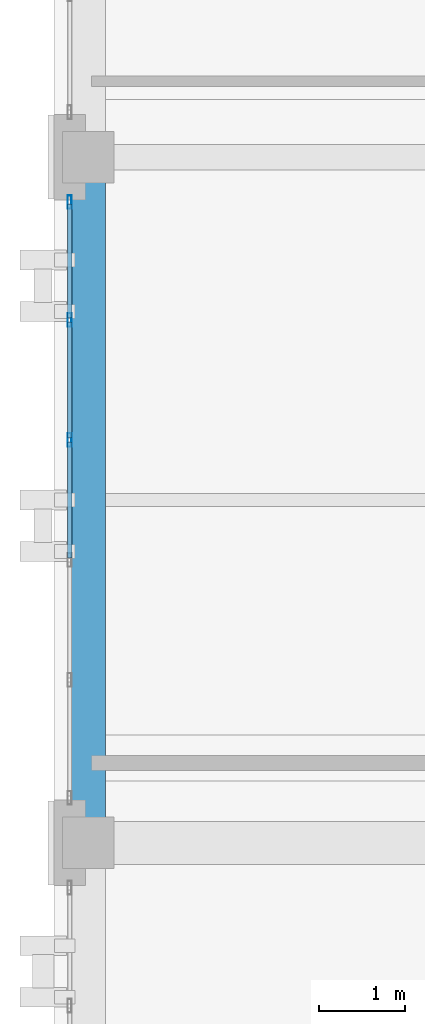
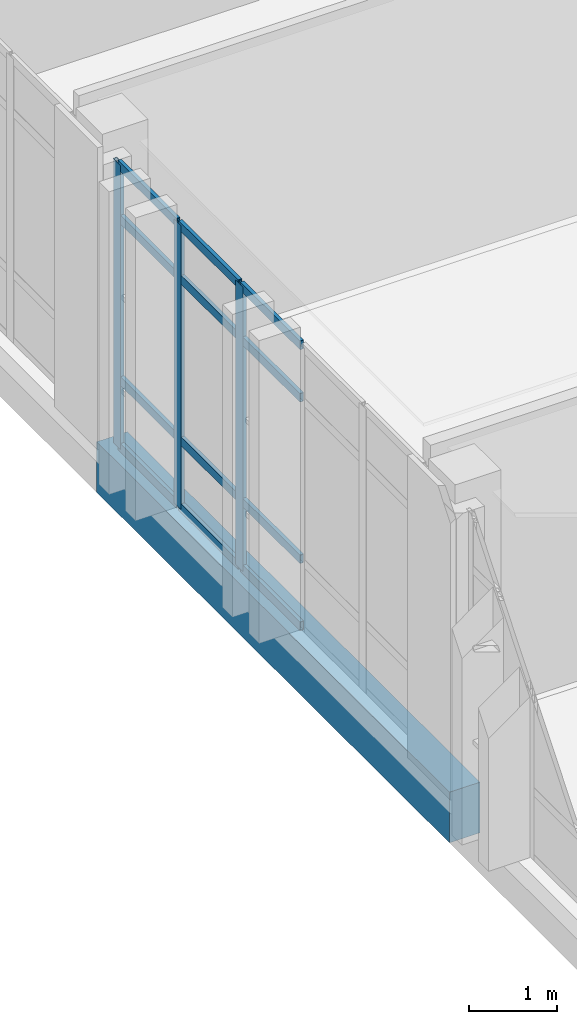
# One storey, part 10 of 77: 15 members, 1 beam, 1 element without a shape of its own.
"""IFC4 building model written with IfcOpenShell, lengths in metres."""

from ifc_helpers import new_model, si_unit, direction, frame, origin, origin_2d, place, context, subcontext, project, spatial, rectangle, hollow_rectangle, extrude, material, layer, layer_set, material_profile, profile_set, type_object, element, aggregate, save


model = new_model("IFC4")

# Units and contexts
model_context = context("Model", 3, precision=1e-05, world=origin(), true_north=direction((0.0, 1.0)))
body_context = subcontext(model_context, "Body", "Model", "MODEL_VIEW")
ifc_project = project(units=[si_unit("LENGTHUNIT", "METRE"), si_unit("AREAUNIT", "SQUARE_METRE"), si_unit("VOLUMEUNIT", "CUBIC_METRE"), si_unit("PLANEANGLEUNIT", "RADIAN"), si_unit("MASSUNIT", "GRAM", prefix="KILO")], contexts=[model_context])

# Site, building, storey
site_placement = place(None, origin())
site = spatial("IfcSite", under=ifc_project, at=site_placement, CompositionType="ELEMENT")
building_placement = place(site_placement, origin())
building = spatial("IfcBuilding", under=site, at=building_placement, Name="Qalavern Law Courts", CompositionType="ELEMENT")
storey_placement = place(building_placement, frame((0.0, 0.0, 27.0)))
storey = spatial("IfcBuildingStorey", under=building, at=storey_placement, Name="L06", CompositionType="ELEMENT", Elevation=27.0)

# Curtain wall, members
ifc_material_1 = material(Name="Anodised aluminium and insulated glazing", Category="aluminium")
ifc_layer = layer(ifc_material_1, 0.159912109375)
ifc_layer_set = layer_set([ifc_layer], Name="Anodised aluminium and insulated glazing")
curtain_wall_type = type_object("IfcCurtainWallType", Name="ENV-CW-CHAMB", PredefinedType="USERDEFINED", material=ifc_layer_set)
curtain_wall_placement = place(storey_placement, origin())
curtain_wall = element("IfcCurtainWall", 1, at=curtain_wall_placement, inside=storey, type_object=curtain_wall_type, Name="V3 unitised curtain wall L06 west 3", ObjectType="UNITISED CURTAIN WALL", PredefinedType="USERDEFINED")
ifc_material_2 = material(Name="Anodised aluminium", Category="aluminium")
ifc_material_profile_1 = material_profile(ifc_material_2, hollow_rectangle(XDim=0.048095703125, YDim=0.159912109375, WallThickness=0.00390625, at=origin_2d()), Name="ALU MULLION 48x160")
ifc_profile_set_1 = profile_set([ifc_material_profile_1], Name="Anodised aluminium")
member_type_1 = type_object("IfcMemberType", Name="ENV-CWM-48x160", PredefinedType="MULLION", material=ifc_profile_set_1)
member_1_placement = place(storey_placement, frame((2.18505859375, 64.8759765625, 0.0), z_axis=(0.0, 0.0, 1.0), x_axis=(1.0, 0.0, 0.0)))
member_1 = element("IfcMember", 2, at=member_1_placement, type_object=member_type_1, Name="CW-04 mullion 1", PredefinedType="MULLION", context=body_context, shape_type="SweptSolid", body=[
    extrude(hollow_rectangle(XDim=0.048095703125, YDim=0.159912109375, WallThickness=0.00390625, at=origin_2d()), origin(), (0.0, 0.0, 1.0), 3.93505859375),
])
member_2_placement = place(storey_placement, frame((2.18505859375, 63.5, 0.0), z_axis=(0.0, 0.0, 1.0), x_axis=(1.0, 0.0, 0.0)))
member_2 = element("IfcMember", 3, at=member_2_placement, type_object=member_type_1, Name="CW-04 mullion 2", PredefinedType="MULLION", context=body_context, shape_type="SweptSolid", body=[
    extrude(hollow_rectangle(XDim=0.048095703125, YDim=0.159912109375, WallThickness=0.00390625, at=origin_2d()), origin(), (0.0, 0.0, 1.0), 3.93505859375),
])
member_3_placement = place(storey_placement, frame((2.18505859375, 62.10009765625, 0.0), z_axis=(0.0, 0.0, 1.0), x_axis=(1.0, 0.0, 0.0)))
member_3 = element("IfcMember", 4, at=member_3_placement, type_object=member_type_1, Name="CW-04 mullion 3", PredefinedType="MULLION", context=body_context, shape_type="SweptSolid", body=[
    extrude(hollow_rectangle(XDim=0.048095703125, YDim=0.159912109375, WallThickness=0.00390625, at=origin_2d()), origin(), (0.0, 0.0, 1.0), 3.93505859375),
])
ifc_material_profile_2 = material_profile(ifc_material_2, hollow_rectangle(XDim=0.048095703125, YDim=0.1201171875, WallThickness=0.00390625, at=origin_2d()), Name="ALU TRANSOM 48x120")
ifc_profile_set_2 = profile_set([ifc_material_profile_2], Name="Anodised aluminium")
member_type_2 = type_object("IfcMemberType", Name="ENV-CWT-48x120", PredefinedType="USERDEFINED", material=ifc_profile_set_2)
member_4_placement = place(storey_placement, frame((2.18505859375, 64.85205078125, 0.02392578125), z_axis=(0.0, -1.0, 0.0), x_axis=(1.0, 0.0, 0.0)))
member_4 = element("IfcMember", 5, at=member_4_placement, type_object=member_type_2, Name="CW-04 transom 1.1", ObjectType="TRANSOM", PredefinedType="USERDEFINED", context=body_context, shape_type="SweptSolid", body=[
    extrude(hollow_rectangle(XDim=0.048095703125, YDim=0.1201171875, WallThickness=0.00390625, at=origin_2d()), origin(), (0.0, 0.0, 1.0), 1.328125),
])
member_5_placement = place(storey_placement, frame((2.18505859375, 64.85205078125, 0.949951171875), z_axis=(0.0, -1.0, 0.0), x_axis=(1.0, 0.0, 0.0)))
member_5 = element("IfcMember", 6, at=member_5_placement, type_object=member_type_2, Name="CW-04 transom 1.2", ObjectType="TRANSOM", PredefinedType="USERDEFINED", context=body_context, shape_type="SweptSolid", body=[
    extrude(hollow_rectangle(XDim=0.048095703125, YDim=0.1201171875, WallThickness=0.00390625, at=origin_2d()), origin(), (0.0, 0.0, 1.0), 1.328125),
])
member_6_placement = place(storey_placement, frame((2.18505859375, 64.85205078125, 3.18505859375), z_axis=(0.0, -1.0, 0.0), x_axis=(1.0, 0.0, 0.0)))
member_6 = element("IfcMember", 7, at=member_6_placement, type_object=member_type_2, Name="CW-04 transom 1.3", ObjectType="TRANSOM", PredefinedType="USERDEFINED", context=body_context, shape_type="SweptSolid", body=[
    extrude(hollow_rectangle(XDim=0.048095703125, YDim=0.1201171875, WallThickness=0.00390625, at=origin_2d()), origin(), (0.0, 0.0, 1.0), 1.328125),
])
member_7_placement = place(storey_placement, frame((2.18505859375, 64.85205078125, 3.910888671875), z_axis=(0.0, -1.0, 0.0), x_axis=(1.0, 0.0, 0.0)))
member_7 = element("IfcMember", 8, at=member_7_placement, type_object=member_type_2, Name="CW-04 transom 1.4", ObjectType="TRANSOM", PredefinedType="USERDEFINED", context=body_context, shape_type="SweptSolid", body=[
    extrude(hollow_rectangle(XDim=0.048095703125, YDim=0.1201171875, WallThickness=0.00390625, at=origin_2d()), origin(), (0.0, 0.0, 1.0), 1.328125),
])
member_8_placement = place(storey_placement, frame((2.18505859375, 63.47607421875, 0.02392578125), z_axis=(0.0, -1.0, 0.0), x_axis=(1.0, 0.0, 0.0)))
member_8 = element("IfcMember", 9, at=member_8_placement, type_object=member_type_2, Name="CW-04 transom 2.1", ObjectType="TRANSOM", PredefinedType="USERDEFINED", context=body_context, shape_type="SweptSolid", body=[
    extrude(hollow_rectangle(XDim=0.048095703125, YDim=0.1201171875, WallThickness=0.00390625, at=origin_2d()), origin(), (0.0, 0.0, 1.0), 1.35205078125),
])
member_9_placement = place(storey_placement, frame((2.18505859375, 63.47607421875, 0.949951171875), z_axis=(0.0, -1.0, 0.0), x_axis=(1.0, 0.0, 0.0)))
member_9 = element("IfcMember", 10, at=member_9_placement, type_object=member_type_2, Name="CW-04 transom 2.2", ObjectType="TRANSOM", PredefinedType="USERDEFINED", context=body_context, shape_type="SweptSolid", body=[
    extrude(hollow_rectangle(XDim=0.048095703125, YDim=0.1201171875, WallThickness=0.00390625, at=origin_2d()), origin(), (0.0, 0.0, 1.0), 1.35205078125),
])
member_10_placement = place(storey_placement, frame((2.18505859375, 63.47607421875, 3.18505859375), z_axis=(0.0, -1.0, 0.0), x_axis=(1.0, 0.0, 0.0)))
member_10 = element("IfcMember", 11, at=member_10_placement, type_object=member_type_2, Name="CW-04 transom 2.3", ObjectType="TRANSOM", PredefinedType="USERDEFINED", context=body_context, shape_type="SweptSolid", body=[
    extrude(hollow_rectangle(XDim=0.048095703125, YDim=0.1201171875, WallThickness=0.00390625, at=origin_2d()), origin(), (0.0, 0.0, 1.0), 1.35205078125),
])
member_11_placement = place(storey_placement, frame((2.18505859375, 63.47607421875, 3.910888671875), z_axis=(0.0, -1.0, 0.0), x_axis=(1.0, 0.0, 0.0)))
member_11 = element("IfcMember", 12, at=member_11_placement, type_object=member_type_2, Name="CW-04 transom 2.4", ObjectType="TRANSOM", PredefinedType="USERDEFINED", context=body_context, shape_type="SweptSolid", body=[
    extrude(hollow_rectangle(XDim=0.048095703125, YDim=0.1201171875, WallThickness=0.00390625, at=origin_2d()), origin(), (0.0, 0.0, 1.0), 1.35205078125),
])
member_12_placement = place(storey_placement, frame((2.18505859375, 62.075927734375, 0.02392578125), z_axis=(0.0, -1.0, 0.0), x_axis=(1.0, 0.0, 0.0)))
member_12 = element("IfcMember", 13, at=member_12_placement, type_object=member_type_2, Name="CW-04 transom 3.1", ObjectType="TRANSOM", PredefinedType="USERDEFINED", context=body_context, shape_type="SweptSolid", body=[
    extrude(hollow_rectangle(XDim=0.048095703125, YDim=0.1201171875, WallThickness=0.00390625, at=origin_2d()), origin(), (0.0, 0.0, 1.0), 1.351806640625),
])
member_13_placement = place(storey_placement, frame((2.18505859375, 62.075927734375, 0.949951171875), z_axis=(0.0, -1.0, 0.0), x_axis=(1.0, 0.0, 0.0)))
member_13 = element("IfcMember", 14, at=member_13_placement, type_object=member_type_2, Name="CW-04 transom 3.2", ObjectType="TRANSOM", PredefinedType="USERDEFINED", context=body_context, shape_type="SweptSolid", body=[
    extrude(hollow_rectangle(XDim=0.048095703125, YDim=0.1201171875, WallThickness=0.00390625, at=origin_2d()), origin(), (0.0, 0.0, 1.0), 1.351806640625),
])
member_14_placement = place(storey_placement, frame((2.18505859375, 62.075927734375, 3.18505859375), z_axis=(0.0, -1.0, 0.0), x_axis=(1.0, 0.0, 0.0)))
member_14 = element("IfcMember", 15, at=member_14_placement, type_object=member_type_2, Name="CW-04 transom 3.3", ObjectType="TRANSOM", PredefinedType="USERDEFINED", context=body_context, shape_type="SweptSolid", body=[
    extrude(hollow_rectangle(XDim=0.048095703125, YDim=0.1201171875, WallThickness=0.00390625, at=origin_2d()), origin(), (0.0, 0.0, 1.0), 1.351806640625),
])
member_15_placement = place(storey_placement, frame((2.18505859375, 62.075927734375, 3.910888671875), z_axis=(0.0, -1.0, 0.0), x_axis=(1.0, 0.0, 0.0)))
member_15 = element("IfcMember", 16, at=member_15_placement, type_object=member_type_2, Name="CW-04 transom 3.4", ObjectType="TRANSOM", PredefinedType="USERDEFINED", context=body_context, shape_type="SweptSolid", body=[
    extrude(hollow_rectangle(XDim=0.048095703125, YDim=0.1201171875, WallThickness=0.00390625, at=origin_2d()), origin(), (0.0, 0.0, 1.0), 1.351806640625),
])
aggregate(curtain_wall, [member_1, member_2, member_3, member_4, member_5, member_6, member_7, member_8, member_9, member_10, member_11, member_12, member_13, member_14, member_15])

# Beam
ifc_material_3 = material(Name="Concrete C40/50", Category="concrete")
ifc_material_profile_3 = material_profile(ifc_material_3, rectangle(XDim=0.39990234375, YDim=0.699951171875, at=origin_2d()), Name="RC 400x700")
ifc_profile_set_3 = profile_set([ifc_material_profile_3], Name="Concrete C40/50")
beam_type = type_object("IfcBeamType", Name="STR-SP-RC400x700", PredefinedType="SPANDREL", material=ifc_profile_set_3)
beam_placement = place(storey_placement, frame((2.39990234375, 57.39990234375, -0.6201171875), z_axis=(0.0, 1.0, 0.0), x_axis=(-1.0, 0.0, 0.0)))
element("IfcBeam", 17, at=beam_placement, inside=storey, type_object=beam_type, Name="V3 Y-beam 1-3 L06", PredefinedType="SPANDREL", context=body_context, shape_type="SweptSolid", body=[
    extrude(rectangle(XDim=0.39990234375, YDim=0.699951171875, at=origin_2d()), origin(), (0.0, 0.0, 1.0), 8.0),
])

save(model, "model.ifc")
